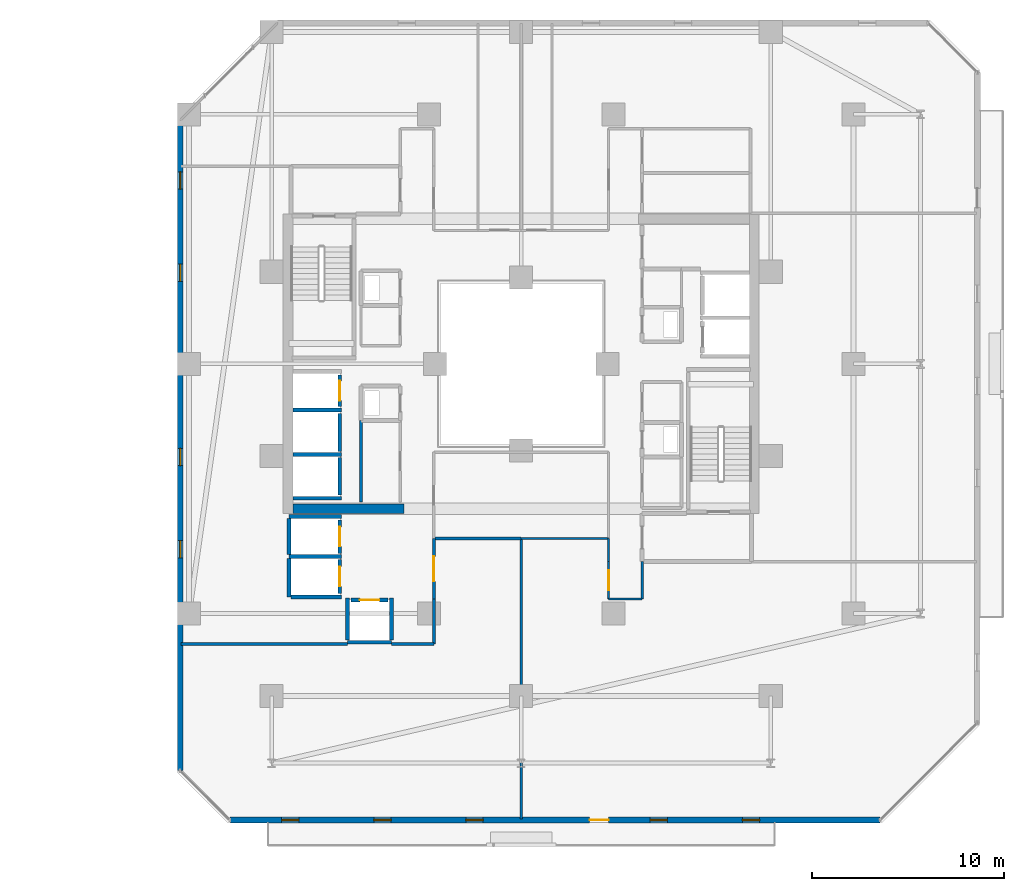
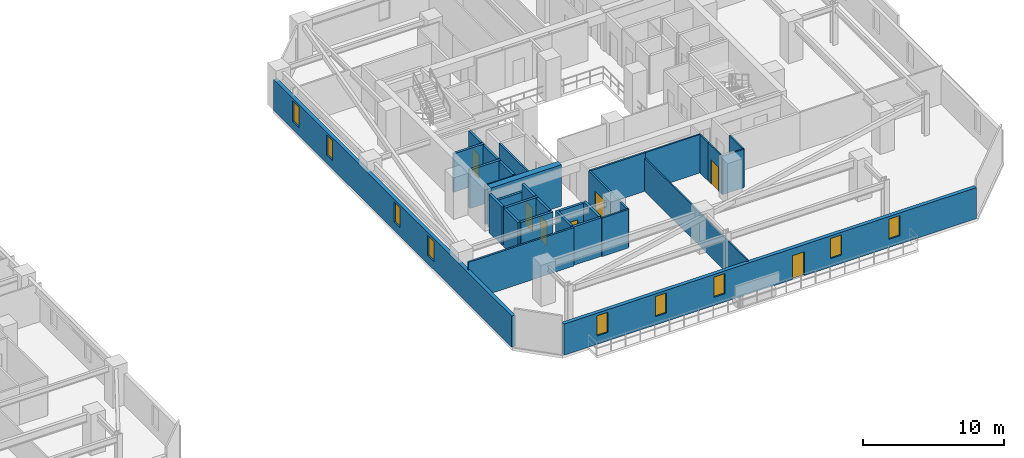
# One storey, part 22 of 33: 32 walls, 9 windows, 7 doors, 16 openings.
"""IFC4 building model written with IfcOpenShell, lengths in metres."""

import ifcopenshell
import ifcopenshell.guid

model = None  # the IFC model being written
_history = None  # IfcOwnerHistory: only IFC2X3 demands one
_inside = {}  # id of a spatial element -> (the spatial element, [elements in it])
_under = {}  # id of a project, library or spatial element -> (it, [spatial elements below it])
_declared = {}  # id of a project -> (the project, [libraries it declares])
_typed = {}  # id of a type object -> (the type object, [elements of that type])
_made_of = {}  # id of a material, layer set ... -> (it, [elements and type objects made of it])


def new_model(schema):
    """Start an empty IFC model of exactly this schema.

    Asked for "IFC4X3", IfcOpenShell would pick the latest addendum, in which some entities
    have other attributes; the version numbers below select the first issue.
    IFC2X3 requires an IfcOwnerHistory on every rooted entity: one is made here for all.
    """
    global model, _history
    if schema == "IFC4X3":
        model = ifcopenshell.file(schema_version=(4, 3, 0, 0))
    else:
        model = ifcopenshell.file(schema=schema)
    _inside.clear()
    _under.clear()
    _declared.clear()
    _typed.clear()
    _made_of.clear()
    _history = None
    if model.schema == "IFC2X3":
        org = make("IfcOrganization", Name="unknown")
        user = make(
            "IfcPersonAndOrganization",
            ThePerson=make("IfcPerson", FamilyName="unknown"),
            TheOrganization=org,
        )
        app = make(
            "IfcApplication",
            ApplicationDeveloper=org,
            Version="unknown",
            ApplicationFullName="unknown",
            ApplicationIdentifier="unknown",
        )
        _history = make(
            "IfcOwnerHistory",
            OwningUser=user,
            OwningApplication=app,
            ChangeAction="ADDED",
            CreationDate=0,
        )
    return model


def make(cls, **values):
    """One entity of the class cls with the attributes given. An attribute that is None is left unset."""
    return model.create_entity(
        cls, **{name: value for name, value in values.items() if value is not None}
    )


def rooted(cls, **values):
    """An entity with a GlobalId (a new one), such as an element, a storey or a relation."""
    return make(cls, GlobalId=ifcopenshell.guid.new(), OwnerHistory=_history, **values)


def si_unit(unit_type, name, prefix=None):
    """IfcSIUnit, for example si_unit("LENGTHUNIT", "METRE", prefix="MILLI")."""
    return make("IfcSIUnit", UnitType=unit_type, Prefix=prefix, Name=name)


def assignment(units):
    """IfcUnitAssignment: the units of a project."""
    return None if units is None else make("IfcUnitAssignment", Units=units)


def point(xyz):
    """IfcCartesianPoint."""
    return None if xyz is None else make("IfcCartesianPoint", Coordinates=xyz)


def direction(xyz):
    """IfcDirection."""
    return None if xyz is None else make("IfcDirection", DirectionRatios=xyz)


def frame(location, z_axis=None, x_axis=None):
    """IfcAxis2Placement3D, a coordinate frame: its origin and axes. An axis left out is left unset."""
    return make(
        "IfcAxis2Placement3D",
        Location=point(location),
        Axis=direction(z_axis),
        RefDirection=direction(x_axis),
    )


def frame_2d(location, x_axis=None):
    """IfcAxis2Placement2D, a coordinate frame in the plane: its origin and x axis."""
    return make(
        "IfcAxis2Placement2D", Location=point(location), RefDirection=direction(x_axis)
    )


def origin():
    """The frame at (0, 0, 0) with its axes left unset."""
    return frame((0.0, 0.0, 0.0))


def place(relative_to, where):
    """IfcLocalPlacement: puts the frame where relative to a parent placement (None: the world)."""
    return make(
        "IfcLocalPlacement", PlacementRelTo=relative_to, RelativePlacement=where
    )


def context(
    kind, dimensions, precision=None, world=None, true_north=None, identifier=None
):
    """IfcGeometricRepresentationContext, for example the 3D "Model" context."""
    return make(
        "IfcGeometricRepresentationContext",
        ContextIdentifier=identifier,
        ContextType=kind,
        CoordinateSpaceDimension=dimensions,
        Precision=precision,
        WorldCoordinateSystem=world,
        TrueNorth=true_north,
    )


def subcontext(parent, identifier, kind, view, scale=None):
    """IfcGeometricRepresentationSubContext, for example "Body" below "Model"."""
    return make(
        "IfcGeometricRepresentationSubContext",
        ContextIdentifier=identifier,
        ContextType=kind,
        ParentContext=parent,
        TargetScale=scale,
        TargetView=view,
    )


def project(units=None, contexts=None):
    """IfcProject with its units and contexts."""
    return rooted(
        "IfcProject",
        Name="project",
        RepresentationContexts=contexts,
        UnitsInContext=assignment(units),
    )


def spatial(cls, under=None, at=None, **own):
    """A site, building, storey or space (cls), placed at a placement, below another one or the project."""
    s = rooted(cls, ObjectPlacement=at, **own)
    if under is not None:
        _under.setdefault(under.id(), (under, []))[1].append(s)
    return s


def profile(cls, at=None, kind="AREA", **sizes):
    """A parametric profile (cls). Its sizes go by their IFC names, for example OverallWidth=200.0."""
    return make(cls, ProfileType=kind, Position=at, **sizes)


def rectangle(**sizes):
    """IfcRectangleProfileDef."""
    return profile("IfcRectangleProfileDef", **sizes)


def extrude(swept, where, along, depth):
    """IfcExtrudedAreaSolid: the profile swept, set in the frame where, extruded along a direction by depth."""
    return make(
        "IfcExtrudedAreaSolid",
        SweptArea=swept,
        Position=where,
        ExtrudedDirection=direction(along),
        Depth=depth,
    )


def shape(context_of_items, identifier, shape_type, items):
    """IfcShapeRepresentation: the items that make up one representation, for example the "Body"."""
    return make(
        "IfcShapeRepresentation",
        ContextOfItems=context_of_items,
        RepresentationIdentifier=identifier,
        RepresentationType=shape_type,
        Items=items,
    )


def material(Name=None, Category=None):
    """IfcMaterial."""
    return make("IfcMaterial", Name=Name, Category=Category)


def layer(
    of_material, thickness, ventilated=None, Name=None, Category=None, Priority=None
):
    """IfcMaterialLayer: one layer of a wall or slab, of a material (None: an air gap)."""
    return make(
        "IfcMaterialLayer",
        Material=of_material,
        LayerThickness=thickness,
        IsVentilated=ventilated,
        Name=Name,
        Category=Category,
        Priority=Priority,
    )


def layer_set(layers, Name=None):
    """IfcMaterialLayerSet."""
    return make("IfcMaterialLayerSet", MaterialLayers=layers, LayerSetName=Name)


def made_of(thing, what):
    """Note that an element or type object is made of a material, layer set ...; save() writes the relation."""
    if what is not None:
        _made_of.setdefault(what.id(), (what, []))[1].append(thing)
    return thing


def type_object(cls, material=None, **own):
    """A type object (cls), such as IfcWallType, which elements share."""
    return made_of(rooted(cls, **own), material)


def element(
    cls,
    number,
    at=None,
    inside=None,
    cuts=None,
    type_object=None,
    material=None,
    context=None,
    identifier="Body",
    shape_type=None,
    held_by="IfcProductDefinitionShape",
    body=None,
    shapes=None,
    **own,
):
    """One element of the class cls, such as IfcWall. Its Tag is "e" and its number.

    at: its placement. inside: the storey or other place that contains it. cuts: it is an
    opening in that element (IfcRelVoidsElement). A single representation is given by context,
    identifier, shape_type and body (its items); several are given by shapes. held_by: the class
    of the entity that holds the representations. save() writes the other relations.
    """
    e = rooted(cls, Tag="e%d" % number, ObjectPlacement=at, **own)
    if body is not None:
        shapes = [shape(context, identifier, shape_type, body)]
    if shapes is not None:
        e.Representation = make(held_by, Representations=shapes)
    if inside is not None:
        _inside.setdefault(inside.id(), (inside, []))[1].append(e)
    if cuts is not None:
        rooted(
            "IfcRelVoidsElement", RelatingBuildingElement=cuts, RelatedOpeningElement=e
        )
    if type_object is not None:
        _typed.setdefault(type_object.id(), (type_object, []))[1].append(e)
    return made_of(e, material)


def fill(opening, filler):
    """IfcRelFillsElement: the door or window that sits in an opening."""
    return rooted(
        "IfcRelFillsElement",
        RelatingOpeningElement=opening,
        RelatedBuildingElement=filler,
    )


def aggregate(whole, parts):
    """IfcRelAggregates: a whole, such as a stair, and the parts it consists of."""
    return rooted("IfcRelAggregates", RelatingObject=whole, RelatedObjects=parts)


def save(model, path):
    """Write the relations noted so far, then the file.

    IfcRelAggregates (storeys below a building ...), IfcRelContainedInSpatialStructure (elements
    in a storey), IfcRelDefinesByType, IfcRelAssociatesMaterial and IfcRelDeclares: one each for
    every whole, place, type object, material and project.
    """
    for whole, parts in _under.values():
        aggregate(whole, parts)
    for where, things in _inside.values():
        rooted(
            "IfcRelContainedInSpatialStructure",
            RelatedElements=things,
            RelatingStructure=where,
        )
    for kind, things in _typed.values():
        rooted("IfcRelDefinesByType", RelatedObjects=things, RelatingType=kind)
    for what, things in _made_of.values():
        rooted("IfcRelAssociatesMaterial", RelatedObjects=things, RelatingMaterial=what)
    for by, libraries in _declared.values():
        rooted("IfcRelDeclares", RelatingContext=by, RelatedDefinitions=libraries)
    model.write(path)


model = new_model("IFC4")

# Units and contexts
model_context = context("Model", 3, precision=1e-05, world=origin(), true_north=direction((0.0, 1.0)))
body_context = subcontext(model_context, "Body", "Model", "MODEL_VIEW")
ifc_project = project(units=[si_unit("LENGTHUNIT", "METRE"), si_unit("AREAUNIT", "SQUARE_METRE"), si_unit("VOLUMEUNIT", "CUBIC_METRE"), si_unit("PLANEANGLEUNIT", "RADIAN"), si_unit("MASSUNIT", "GRAM", prefix="KILO")], contexts=[model_context])

# Site, building, storey
site_placement = place(None, origin())
site = spatial("IfcSite", under=ifc_project, at=site_placement, CompositionType="ELEMENT")
building_placement = place(site_placement, origin())
building = spatial("IfcBuilding", under=site, at=building_placement, Name="Thornwick Lancets Civic Towers", CompositionType="ELEMENT")
storey_placement = place(building_placement, frame((0.0, 0.0, 134.10009765625)))
storey = spatial("IfcBuildingStorey", under=building, at=storey_placement, Name="L35", CompositionType="ELEMENT", Elevation=134.10009765625)

# Wall, opening, door
ifc_material_1 = material(Name="Concrete blockwork C40/50", Category="masonry")
ifc_layer_1 = layer(ifc_material_1, 0.199951171875, Name="Concrete blockwork C40/50")
ifc_layer_set_1 = layer_set([ifc_layer_1], Name="Concrete blockwork C40/50")
wall_type_1 = type_object("IfcWallType", Name="WALL_COMP_200", PredefinedType="STANDARD", material=ifc_layer_set_1)
wall_1_placement = place(storey_placement, frame((79.050048828125, 24.780029296875, 0.0), z_axis=(0.0, 0.0, 1.0), x_axis=(0.0, 1.0, 0.0)))
wall_1 = element("IfcWall", 1, at=wall_1_placement, inside=storey, type_object=wall_type_1, Name="L35 Hoistway Front Wall FL-B2", PredefinedType="STANDARD", context=body_context, shape_type="SweptSolid", body=[
    extrude(rectangle(XDim=1.639892578125, YDim=0.199951171875, at=frame_2d((0.81982421875, 0.0))), origin(), (0.0, 0.0, 1.0), 3.33984375),
])
opening_1_placement = place(wall_1_placement, frame((0.31005859375, 0.0, 0.0)))
opening_1 = element("IfcOpeningElement", 2, at=opening_1_placement, cuts=wall_1, Name="Opening LD-FL-B2", PredefinedType="OPENING", context=body_context, shape_type="SweptSolid", body=[
    extrude(rectangle(XDim=1.02001953125, YDim=2.06005859375, at=frame_2d((0.510009765625, 1.030029296875))), frame((0.0, 0.10986328125, 0.0), z_axis=(0.0, -1.0, 0.0), x_axis=(1.0, 0.0, 0.0)), (0.0, 0.0, 1.0), 0.219970703125),
])
ifc_material_2 = material(Name="Brushed bronze stainless steel", Category="steel")
door_type_1 = type_object("IfcDoorType", Name="DOOR_LIFT_SLIDE", OperationType="SLIDING_TO_LEFT", PredefinedType="DOOR", material=ifc_material_2)
door_1_placement = place(opening_1_placement, origin())
door_1 = element("IfcDoor", 3, at=door_1_placement, inside=storey, type_object=door_type_1, Name="L35 Sliding Lift Landing Door LD-FL-B2", OperationType="SLIDING_TO_LEFT", OverallHeight=2.06005859375, OverallWidth=1.02001953125, PredefinedType="DOOR", context=body_context, shape_type="SweptSolid", body=[
    extrude(rectangle(XDim=1.02001953125, YDim=2.06005859375, at=frame_2d((0.510009765625, 1.030029296875))), frame((0.0, 0.02490234375, 0.0), z_axis=(0.0, -1.0, 0.0), x_axis=(1.0, 0.0, 0.0)), (0.0, 0.0, 1.0), 0.050048828125),
])
fill(opening_1, door_1)

# Walls
wall_2_placement = place(storey_placement, frame((79.050048828125, 22.429931640625, 0.0), z_axis=(0.0, 0.0, 1.0), x_axis=(0.0, 1.0, 0.0)))
element("IfcWall", 4, at=wall_2_placement, inside=storey, type_object=wall_type_1, Name="L35 Hoistway Front Wall PL-BH2", PredefinedType="STANDARD", context=body_context, shape_type="SweptSolid", body=[
    extrude(rectangle(XDim=1.989990234375, YDim=0.199951171875, at=frame_2d((0.9951171875, 0.0))), origin(), (0.0, 0.0, 1.0), 3.33984375),
])
wall_3_placement = place(storey_placement, frame((79.050048828125, 20.179931640625, 0.0), z_axis=(0.0, 0.0, 1.0), x_axis=(0.0, 1.0, 0.0)))
element("IfcWall", 5, at=wall_3_placement, inside=storey, type_object=wall_type_1, Name="L35 Hoistway Front Wall PL-BH3", PredefinedType="STANDARD", context=body_context, shape_type="SweptSolid", body=[
    extrude(rectangle(XDim=1.940185546875, YDim=0.199951171875, at=frame_2d((0.97021484375, 0.0))), origin(), (0.0, 0.0, 1.0), 3.33984375),
])

# Wall, opening, door
wall_4_placement = place(storey_placement, frame((79.050048828125, 17.1298828125, 0.0), z_axis=(0.0, 0.0, 1.0), x_axis=(0.0, 1.0, 0.0)))
wall_4 = element("IfcWall", 6, at=wall_4_placement, inside=storey, type_object=wall_type_1, Name="L35 Hoistway Front Wall PL-BM1", PredefinedType="STANDARD", context=body_context, shape_type="SweptSolid", body=[
    extrude(rectangle(XDim=1.740234375, YDim=0.199951171875, at=frame_2d((0.8701171875, 0.0))), origin(), (0.0, 0.0, 1.0), 3.33984375),
])
opening_2_placement = place(wall_4_placement, frame((0.360107421875, 0.0, 0.0)))
opening_2 = element("IfcOpeningElement", 7, at=opening_2_placement, cuts=wall_4, Name="Opening LD-PL-BM1", PredefinedType="OPENING", context=body_context, shape_type="SweptSolid", body=[
    extrude(rectangle(XDim=1.02001953125, YDim=2.06005859375, at=frame_2d((0.510009765625, 1.030029296875))), frame((0.0, 0.10986328125, 0.0), z_axis=(0.0, -1.0, 0.0), x_axis=(1.0, 0.0, 0.0)), (0.0, 0.0, 1.0), 0.219970703125),
])
door_2_placement = place(opening_2_placement, origin())
door_2 = element("IfcDoor", 8, at=door_2_placement, inside=storey, type_object=door_type_1, Name="L35 Sliding Lift Landing Door LD-PL-BM1", OperationType="SLIDING_TO_LEFT", OverallHeight=2.06005859375, OverallWidth=1.02001953125, PredefinedType="DOOR", context=body_context, shape_type="SweptSolid", body=[
    extrude(rectangle(XDim=1.02001953125, YDim=2.06005859375, at=frame_2d((0.510009765625, 1.030029296875))), frame((0.0, 0.02490234375, 0.0), z_axis=(0.0, -1.0, 0.0), x_axis=(1.0, 0.0, 0.0)), (0.0, 0.0, 1.0), 0.050048828125),
])
fill(opening_2, door_2)

wall_5_placement = place(storey_placement, frame((79.050048828125, 15.030029296875, 0.0), z_axis=(0.0, 0.0, 1.0), x_axis=(0.0, 1.0, 0.0)))
wall_5 = element("IfcWall", 9, at=wall_5_placement, inside=storey, type_object=wall_type_1, Name="L35 Hoistway Front Wall PL-BM2", PredefinedType="STANDARD", context=body_context, shape_type="SweptSolid", body=[
    extrude(rectangle(XDim=1.7900390625, YDim=0.199951171875, at=frame_2d((0.89501953125, 0.0))), origin(), (0.0, 0.0, 1.0), 3.33984375),
])
opening_3_placement = place(wall_5_placement, frame((0.385009765625, 0.0, 0.0)))
opening_3 = element("IfcOpeningElement", 10, at=opening_3_placement, cuts=wall_5, Name="Opening LD-PL-BM2", PredefinedType="OPENING", context=body_context, shape_type="SweptSolid", body=[
    extrude(rectangle(XDim=1.02001953125, YDim=2.06005859375, at=frame_2d((0.510009765625, 1.030029296875))), frame((0.0, 0.10986328125, 0.0), z_axis=(0.0, -1.0, 0.0), x_axis=(1.0, 0.0, 0.0)), (0.0, 0.0, 1.0), 0.219970703125),
])
door_3_placement = place(opening_3_placement, origin())
door_3 = element("IfcDoor", 11, at=door_3_placement, inside=storey, type_object=door_type_1, Name="L35 Sliding Lift Landing Door LD-PL-BM2", OperationType="SLIDING_TO_LEFT", OverallHeight=2.06005859375, OverallWidth=1.02001953125, PredefinedType="DOOR", context=body_context, shape_type="SweptSolid", body=[
    extrude(rectangle(XDim=1.02001953125, YDim=2.06005859375, at=frame_2d((0.510009765625, 1.030029296875))), frame((0.0, 0.02490234375, 0.0), z_axis=(0.0, -1.0, 0.0), x_axis=(1.0, 0.0, 0.0)), (0.0, 0.0, 1.0), 0.050048828125),
])
fill(opening_3, door_3)

wall_6_placement = place(storey_placement, frame((79.6298828125, 14.699951171875, 0.0), z_axis=(0.0, 0.0, 1.0), x_axis=(1.0, 0.0, 0.0)))
wall_6 = element("IfcWall", 12, at=wall_6_placement, inside=storey, type_object=wall_type_1, Name="L35 Hoistway Front Wall PL-BM3", PredefinedType="STANDARD", context=body_context, shape_type="SweptSolid", body=[
    extrude(rectangle(XDim=1.940185546875, YDim=0.199951171875, at=frame_2d((0.97021484375, 0.0))), origin(), (0.0, 0.0, 1.0), 3.33984375),
])
opening_4_placement = place(wall_6_placement, frame((0.4599609375, 0.0, 0.0)))
opening_4 = element("IfcOpeningElement", 13, at=opening_4_placement, cuts=wall_6, Name="Opening LD-PL-BM3", PredefinedType="OPENING", context=body_context, shape_type="SweptSolid", body=[
    extrude(rectangle(XDim=1.02001953125, YDim=2.06005859375, at=frame_2d((0.510009765625, 1.030029296875))), frame((0.0, 0.10986328125, 0.0), z_axis=(0.0, -1.0, 0.0), x_axis=(1.0, 0.0, 0.0)), (0.0, 0.0, 1.0), 0.219970703125),
])
door_4_placement = place(opening_4_placement, origin())
door_4 = element("IfcDoor", 14, at=door_4_placement, inside=storey, type_object=door_type_1, Name="L35 Sliding Lift Landing Door LD-PL-BM3", OperationType="SLIDING_TO_LEFT", OverallHeight=2.06005859375, OverallWidth=1.02001953125, PredefinedType="DOOR", context=body_context, shape_type="SweptSolid", body=[
    extrude(rectangle(XDim=1.02001953125, YDim=2.06005859375, at=frame_2d((0.510009765625, 1.030029296875))), frame((0.0, 0.02490234375, 0.0), z_axis=(0.0, -1.0, 0.0), x_axis=(1.0, 0.0, 0.0)), (0.0, 0.0, 1.0), 0.050048828125),
])
fill(opening_4, door_4)

# Walls
for number, where, z_axis, x_axis, name in (
    (15, (76.612060546875, 24.60009765625, 0.0), (0.0, 0.0, 1.0), (1.0, 0.0, 0.0), "L35 Hoistway Shaft Wall FL-B2 S"),
    (16, (76.612060546875, 22.27490234375, 0.0), (0.0, 0.0, 1.0), (1.0, 0.0, 0.0), "L35 Hoistway Shaft Wall PL-BH2 S"),
    (17, (76.612060546875, 20.0, 0.0), (0.0, 0.0, 1.0), (1.0, 0.0, 0.0), "L35 Hoistway Shaft Wall PL-BH3 S"),
):
    element("IfcWall", number, at=place(storey_placement, frame(where, z_axis=z_axis, x_axis=x_axis)), inside=storey, type_object=wall_type_1, Name=name, PredefinedType="STANDARD", context=body_context, shape_type="SweptSolid", body=[
        extrude(rectangle(XDim=2.535888671875, YDim=0.199951171875, at=frame_2d((1.26806640625, 0.0))), origin(), (0.0, 0.0, 1.0), 3.33984375),
    ])
wall_7_placement = place(storey_placement, frame((76.402099609375, 19.050048828125, 0.0), z_axis=(0.0, 0.0, 1.0), x_axis=(1.0, 0.0, 0.0)))
element("IfcWall", 18, at=wall_7_placement, inside=storey, type_object=wall_type_1, Name="L35 Hoistway Shaft Wall PL-BM1 N", PredefinedType="STANDARD", context=body_context, shape_type="SweptSolid", body=[
    extrude(rectangle(XDim=2.745849609375, YDim=0.199951171875, at=frame_2d((1.373046875, 0.0))), origin(), (0.0, 0.0, 1.0), 2.544921875),
])
wall_8_placement = place(storey_placement, frame((76.402099609375, 16.97509765625, 0.0), z_axis=(0.0, 0.0, 1.0), x_axis=(1.0, 0.0, 0.0)))
element("IfcWall", 19, at=wall_8_placement, inside=storey, type_object=wall_type_1, Name="L35 Hoistway Shaft Wall PL-BM1 S", PredefinedType="STANDARD", context=body_context, shape_type="SweptSolid", body=[
    extrude(rectangle(XDim=2.745849609375, YDim=0.199951171875, at=frame_2d((1.373046875, 0.0))), origin(), (0.0, 0.0, 1.0), 3.33984375),
])
wall_9_placement = place(storey_placement, frame((76.39990234375, 14.85205078125, 0.0), z_axis=(0.0, 0.0, 1.0), x_axis=(0.0, 1.0, 0.0)))
element("IfcWall", 20, at=wall_9_placement, inside=storey, type_object=wall_type_1, Name="L35 Hoistway Shaft Wall PL-BM1 W", PredefinedType="STANDARD", context=body_context, shape_type="SweptSolid", body=[
    extrude(rectangle(XDim=2.015869140625, YDim=0.199951171875, at=frame_2d((1.0078125, 0.0))), origin(), (0.0, 0.0, 1.0), 3.33984375),
])
wall_10_placement = place(storey_placement, frame((76.39990234375, 17.08203125, 0.0), z_axis=(0.0, 0.0, 1.0), x_axis=(0.0, 1.0, 0.0)))
element("IfcWall", 21, at=wall_10_placement, inside=storey, type_object=wall_type_1, Name="L35 Hoistway Shaft Wall PL-BM1 W", PredefinedType="STANDARD", context=body_context, shape_type="SweptSolid", body=[
    extrude(rectangle(XDim=1.85595703125, YDim=0.199951171875, at=frame_2d((0.927978515625, 0.0))), origin(), (0.0, 0.0, 1.0), 3.33984375),
])
wall_11_placement = place(storey_placement, frame((76.511962890625, 14.85009765625, 0.0), z_axis=(0.0, 0.0, 1.0), x_axis=(1.0, 0.0, 0.0)))
element("IfcWall", 22, at=wall_11_placement, inside=storey, type_object=wall_type_1, Name="L35 Hoistway Shaft Wall PL-BM2 S", PredefinedType="STANDARD", context=body_context, shape_type="SweptSolid", body=[
    extrude(rectangle(XDim=2.635986328125, YDim=0.199951171875, at=frame_2d((1.31787109375, 0.0))), origin(), (0.0, 0.0, 1.0), 3.33984375),
])
wall_12_placement = place(storey_placement, frame((79.451904296875, 12.5, 0.0), z_axis=(0.0, 0.0, 1.0), x_axis=(1.0, 0.0, 0.0)))
element("IfcWall", 23, at=wall_12_placement, inside=storey, type_object=wall_type_1, Name="L35 Hoistway Shaft Wall PL-BM3 S", PredefinedType="STANDARD", context=body_context, shape_type="SweptSolid", body=[
    extrude(rectangle(XDim=2.296142578125, YDim=0.199951171875, at=frame_2d((1.14794921875, 0.0))), origin(), (0.0, 0.0, 1.0), 3.33984375),
])
for number, where, z_axis, x_axis, name in (
    (24, (81.75, 12.612060546875, 0.0), (0.0, 0.0, 1.0), (0.0, 1.0, 0.0), "L35 Hoistway Shaft Wall PL-BM3 E"),
    (25, (79.449951171875, 12.612060546875, 0.0), (0.0, 0.0, 1.0), (0.0, 1.0, 0.0), "L35 Hoistway Shaft Wall PL-BM3 W"),
):
    element("IfcWall", number, at=place(storey_placement, frame(where, z_axis=z_axis, x_axis=x_axis)), inside=storey, type_object=wall_type_1, Name=name, PredefinedType="STANDARD", context=body_context, shape_type="SweptSolid", body=[
        extrude(rectangle(XDim=2.18603515625, YDim=0.199951171875, at=frame_2d((1.093017578125, 0.0))), origin(), (0.0, 0.0, 1.0), 3.33984375),
    ])
ifc_material_3 = material(Name="Concrete C50/60", Category="concrete")
ifc_layer_2 = layer(ifc_material_3, 0.5, Name="Concrete C50/60")
ifc_layer_set_2 = layer_set([ifc_layer_2], Name="Concrete C50/60")
wall_type_2 = type_object("IfcWallType", Name="WALL_CORE_500", PredefinedType="SHEAR", material=ifc_layer_set_2)
wall_13_placement = place(storey_placement, frame((76.60009765625, 19.449951171875, 0.0), z_axis=(0.0, 0.0, 1.0), x_axis=(1.0, 0.0, 0.0)))
element("IfcWall", 26, at=wall_13_placement, inside=storey, type_object=wall_type_2, Name="L35 Split Core B2 Shear Wall S", PredefinedType="SHEAR", context=body_context, shape_type="SweptSolid", body=[
    extrude(rectangle(XDim=5.7998046875, YDim=0.5, at=frame_2d((2.89990234375, 0.0))), origin(), (0.0, 0.0, 1.0), 3.599853515625),
])

# Wall, openings, door, windows
ifc_material_4 = material(Name="Insulated russet terracotta rainscreen on concrete C40/50", Category="masonry")
ifc_layer_3 = layer(ifc_material_4, 0.300048828125, Name="Insulated russet terracotta rainscreen on concrete C40/50")
ifc_layer_set_3 = layer_set([ifc_layer_3], Name="Insulated russet terracotta rainscreen on concrete C40/50")
wall_type_3 = type_object("IfcWallType", Name="WALL_EXT_RUSSET_300", PredefinedType="STANDARD", material=ifc_layer_set_3)
wall_14_placement = place(storey_placement, frame((73.318603515625, 3.2353515625, 0.0), z_axis=(0.0, 0.0, 1.0), x_axis=(0.999999969988, 0.000244999128, 0.0)))
wall_14 = element("IfcWall", 27, at=wall_14_placement, inside=storey, type_object=wall_type_3, Name="L35 Tower B Terracotta Facade Wall E0", PredefinedType="STANDARD", context=body_context, shape_type="SweptSolid", body=[
    extrude(rectangle(XDim=33.880859375, YDim=0.300048828125, at=frame_2d((16.9404296875, 0.0))), origin(), (0.0, 0.0, 1.0), 2.699951171875),
])
opening_5_placement = place(wall_14_placement, frame((18.740478515625, 0.0, 0.0)))
opening_5 = element("IfcOpeningElement", 28, at=opening_5_placement, cuts=wall_14, Name="Opening D-BL-L35-BS", PredefinedType="OPENING", context=body_context, shape_type="SweptSolid", body=[
    extrude(rectangle(XDim=1.0, YDim=2.080078125, at=frame_2d((0.5, 1.0400390625))), frame((0.0, 0.16015625, 0.0), z_axis=(0.0, -1.0, 0.0), x_axis=(1.0, 0.0, 0.0)), (0.0, 0.0, 1.0), 0.320068359375),
])
opening_6_placement = place(wall_14_placement, frame((2.699951171875, 0.0, 0.719970703125)))
opening_6 = element("IfcOpeningElement", 29, at=opening_6_placement, cuts=wall_14, Name="Opening WL-01", PredefinedType="OPENING", context=body_context, shape_type="SweptSolid", body=[
    extrude(rectangle(XDim=0.89990234375, YDim=1.75, at=frame_2d((0.449951171875, 0.875))), frame((0.0, 0.16015625, 0.0), z_axis=(0.0, -1.0, 0.0), x_axis=(1.0, 0.0, 0.0)), (0.0, 0.0, 1.0), 0.320068359375),
])
opening_7_placement = place(wall_14_placement, frame((7.5, 0.0, 0.719970703125)))
opening_7 = element("IfcOpeningElement", 30, at=opening_7_placement, cuts=wall_14, Name="Opening WL-01", PredefinedType="OPENING", context=body_context, shape_type="SweptSolid", body=[
    extrude(rectangle(XDim=0.89990234375, YDim=1.75, at=frame_2d((0.449951171875, 0.875))), frame((0.0, 0.16015625, 0.0), z_axis=(0.0, -1.0, 0.0), x_axis=(1.0, 0.0, 0.0)), (0.0, 0.0, 1.0), 0.320068359375),
])
opening_8_placement = place(wall_14_placement, frame((12.300048828125, 0.0, 0.719970703125)))
opening_8 = element("IfcOpeningElement", 31, at=opening_8_placement, cuts=wall_14, Name="Opening WL-01", PredefinedType="OPENING", context=body_context, shape_type="SweptSolid", body=[
    extrude(rectangle(XDim=0.89990234375, YDim=1.75, at=frame_2d((0.449951171875, 0.875))), frame((0.0, 0.16015625, 0.0), z_axis=(0.0, -1.0, 0.0), x_axis=(1.0, 0.0, 0.0)), (0.0, 0.0, 1.0), 0.320068359375),
])
opening_9_placement = place(wall_14_placement, frame((21.89990234375, 0.0, 0.719970703125)))
opening_9 = element("IfcOpeningElement", 32, at=opening_9_placement, cuts=wall_14, Name="Opening WL-01", PredefinedType="OPENING", context=body_context, shape_type="SweptSolid", body=[
    extrude(rectangle(XDim=0.89990234375, YDim=1.75, at=frame_2d((0.449951171875, 0.875))), frame((0.0, 0.16015625, 0.0), z_axis=(0.0, -1.0, 0.0), x_axis=(1.0, 0.0, 0.0)), (0.0, 0.0, 1.0), 0.320068359375),
])
opening_10_placement = place(wall_14_placement, frame((26.699951171875, 0.0, 0.719970703125)))
opening_10 = element("IfcOpeningElement", 33, at=opening_10_placement, cuts=wall_14, Name="Opening WL-01", PredefinedType="OPENING", context=body_context, shape_type="SweptSolid", body=[
    extrude(rectangle(XDim=0.89990234375, YDim=1.75, at=frame_2d((0.449951171875, 0.875))), frame((0.0, 0.16015625, 0.0), z_axis=(0.0, -1.0, 0.0), x_axis=(1.0, 0.0, 0.0)), (0.0, 0.0, 1.0), 0.320068359375),
])
ifc_material_5 = material(Name="Thermally broken glazed loggia doorset")
door_type_2 = type_object("IfcDoorType", Name="DOOR_BALC_1000", OperationType="NOTDEFINED", PredefinedType="DOOR", material=ifc_material_5)
door_5_placement = place(opening_5_placement, origin())
door_5 = element("IfcDoor", 34, at=door_5_placement, inside=storey, type_object=door_type_2, Name="L35 Tower B Loggia Balcony Door S", OperationType="SINGLE_SWING_RIGHT", OverallHeight=2.080078125, OverallWidth=1.0, PredefinedType="DOOR", context=body_context, shape_type="SweptSolid", body=[
    extrude(rectangle(XDim=1.0, YDim=2.080078125, at=frame_2d((0.5, 1.0400390625))), frame((0.0, 0.02490234375, 0.0), z_axis=(0.0, -1.0, 0.0), x_axis=(1.0, 0.0, 0.0)), (0.0, 0.0, 1.0), 0.050048828125),
])
fill(opening_5, door_5)
ifc_material_6 = material(Name="Clear low-e double glazing in bronze frame", Category="glass")
window_type = type_object("IfcWindowType", Name="WIN_LANCET_900", PartitioningType="SINGLE_PANEL", PredefinedType="WINDOW", material=ifc_material_6)
window_1_placement = place(opening_6_placement, origin())
window_1 = element("IfcWindow", 35, at=window_1_placement, inside=storey, type_object=window_type, Name="L35 Tower B Staggered Lancet Window E0-1", OverallHeight=1.75, OverallWidth=0.89990234375, PartitioningType="SINGLE_PANEL", PredefinedType="WINDOW", context=body_context, shape_type="SweptSolid", body=[
    extrude(rectangle(XDim=0.89990234375, YDim=1.75, at=frame_2d((0.449951171875, 0.875))), frame((0.0, 0.030029296875, 0.0), z_axis=(0.0, -1.0, 0.0), x_axis=(1.0, 0.0, 0.0)), (0.0, 0.0, 1.0), 0.06005859375),
])
fill(opening_6, window_1)
window_2_placement = place(opening_7_placement, origin())
window_2 = element("IfcWindow", 36, at=window_2_placement, inside=storey, type_object=window_type, Name="L35 Tower B Staggered Lancet Window E0-2", OverallHeight=1.75, OverallWidth=0.89990234375, PartitioningType="SINGLE_PANEL", PredefinedType="WINDOW", context=body_context, shape_type="SweptSolid", body=[
    extrude(rectangle(XDim=0.89990234375, YDim=1.75, at=frame_2d((0.449951171875, 0.875))), frame((0.0, 0.030029296875, 0.0), z_axis=(0.0, -1.0, 0.0), x_axis=(1.0, 0.0, 0.0)), (0.0, 0.0, 1.0), 0.06005859375),
])
fill(opening_7, window_2)
window_3_placement = place(opening_8_placement, origin())
window_3 = element("IfcWindow", 37, at=window_3_placement, inside=storey, type_object=window_type, Name="L35 Tower B Staggered Lancet Window E0-3", OverallHeight=1.75, OverallWidth=0.89990234375, PartitioningType="SINGLE_PANEL", PredefinedType="WINDOW", context=body_context, shape_type="SweptSolid", body=[
    extrude(rectangle(XDim=0.89990234375, YDim=1.75, at=frame_2d((0.449951171875, 0.875))), frame((0.0, 0.030029296875, 0.0), z_axis=(0.0, -1.0, 0.0), x_axis=(1.0, 0.0, 0.0)), (0.0, 0.0, 1.0), 0.06005859375),
])
fill(opening_8, window_3)
window_4_placement = place(opening_9_placement, origin())
window_4 = element("IfcWindow", 38, at=window_4_placement, inside=storey, type_object=window_type, Name="L35 Tower B Staggered Lancet Window E0-4", OverallHeight=1.75, OverallWidth=0.89990234375, PartitioningType="SINGLE_PANEL", PredefinedType="WINDOW", context=body_context, shape_type="SweptSolid", body=[
    extrude(rectangle(XDim=0.89990234375, YDim=1.75, at=frame_2d((0.449951171875, 0.875))), frame((0.0, 0.030029296875, 0.0), z_axis=(0.0, -1.0, 0.0), x_axis=(1.0, 0.0, 0.0)), (0.0, 0.0, 1.0), 0.06005859375),
])
fill(opening_9, window_4)
window_5_placement = place(opening_10_placement, origin())
window_5 = element("IfcWindow", 39, at=window_5_placement, inside=storey, type_object=window_type, Name="L35 Tower B Staggered Lancet Window E0-5", OverallHeight=1.75, OverallWidth=0.89990234375, PartitioningType="SINGLE_PANEL", PredefinedType="WINDOW", context=body_context, shape_type="SweptSolid", body=[
    extrude(rectangle(XDim=0.89990234375, YDim=1.75, at=frame_2d((0.449951171875, 0.875))), frame((0.0, 0.030029296875, 0.0), z_axis=(0.0, -1.0, 0.0), x_axis=(1.0, 0.0, 0.0)), (0.0, 0.0, 1.0), 0.06005859375),
])
fill(opening_10, window_5)

# Wall, openings, windows
wall_15_placement = place(storey_placement, frame((70.74365234375, 39.699462890625, 0.0), z_axis=(0.0, 0.0, 1.0), x_axis=(-0.000244999128, -0.999999969988, 0.0)))
wall_15 = element("IfcWall", 40, at=wall_15_placement, inside=storey, type_object=wall_type_3, Name="L35 Tower B Terracotta Facade Wall E6", PredefinedType="STANDARD", context=body_context, shape_type="SweptSolid", body=[
    extrude(rectangle(XDim=33.880859375, YDim=0.300048828125, at=frame_2d((16.9404296875, 0.0))), origin(), (0.0, 0.0, 1.0), 2.699951171875),
])
opening_11_placement = place(wall_15_placement, frame((2.699951171875, 0.0, 0.719970703125)))
opening_11 = element("IfcOpeningElement", 41, at=opening_11_placement, cuts=wall_15, Name="Opening WL-01", PredefinedType="OPENING", context=body_context, shape_type="SweptSolid", body=[
    extrude(rectangle(XDim=0.89990234375, YDim=1.75, at=frame_2d((0.449951171875, 0.875))), frame((0.0, 0.16015625, 0.0), z_axis=(0.0, -1.0, 0.0), x_axis=(1.0, 0.0, 0.0)), (0.0, 0.0, 1.0), 0.320068359375),
])
opening_12_placement = place(wall_15_placement, frame((7.5, 0.0, 0.719970703125)))
opening_12 = element("IfcOpeningElement", 42, at=opening_12_placement, cuts=wall_15, Name="Opening WL-01", PredefinedType="OPENING", context=body_context, shape_type="SweptSolid", body=[
    extrude(rectangle(XDim=0.89990234375, YDim=1.75, at=frame_2d((0.449951171875, 0.875))), frame((0.0, 0.16015625, 0.0), z_axis=(0.0, -1.0, 0.0), x_axis=(1.0, 0.0, 0.0)), (0.0, 0.0, 1.0), 0.320068359375),
])
opening_13_placement = place(wall_15_placement, frame((17.10009765625, 0.0, 0.719970703125)))
opening_13 = element("IfcOpeningElement", 43, at=opening_13_placement, cuts=wall_15, Name="Opening WL-01", PredefinedType="OPENING", context=body_context, shape_type="SweptSolid", body=[
    extrude(rectangle(XDim=0.89990234375, YDim=1.75, at=frame_2d((0.449951171875, 0.875))), frame((0.0, 0.16015625, 0.0), z_axis=(0.0, -1.0, 0.0), x_axis=(1.0, 0.0, 0.0)), (0.0, 0.0, 1.0), 0.320068359375),
])
opening_14_placement = place(wall_15_placement, frame((21.89990234375, 0.0, 0.719970703125)))
opening_14 = element("IfcOpeningElement", 44, at=opening_14_placement, cuts=wall_15, Name="Opening WL-01", PredefinedType="OPENING", context=body_context, shape_type="SweptSolid", body=[
    extrude(rectangle(XDim=0.89990234375, YDim=1.75, at=frame_2d((0.449951171875, 0.875))), frame((0.0, 0.16015625, 0.0), z_axis=(0.0, -1.0, 0.0), x_axis=(1.0, 0.0, 0.0)), (0.0, 0.0, 1.0), 0.320068359375),
])
window_6_placement = place(opening_11_placement, origin())
window_6 = element("IfcWindow", 45, at=window_6_placement, inside=storey, type_object=window_type, Name="L35 Tower B Staggered Lancet Window E6-1", OverallHeight=1.75, OverallWidth=0.89990234375, PartitioningType="SINGLE_PANEL", PredefinedType="WINDOW", context=body_context, shape_type="SweptSolid", body=[
    extrude(rectangle(XDim=0.89990234375, YDim=1.75, at=frame_2d((0.449951171875, 0.875))), frame((0.0, 0.030029296875, 0.0), z_axis=(0.0, -1.0, 0.0), x_axis=(1.0, 0.0, 0.0)), (0.0, 0.0, 1.0), 0.06005859375),
])
fill(opening_11, window_6)
window_7_placement = place(opening_12_placement, origin())
window_7 = element("IfcWindow", 46, at=window_7_placement, inside=storey, type_object=window_type, Name="L35 Tower B Staggered Lancet Window E6-2", OverallHeight=1.75, OverallWidth=0.89990234375, PartitioningType="SINGLE_PANEL", PredefinedType="WINDOW", context=body_context, shape_type="SweptSolid", body=[
    extrude(rectangle(XDim=0.89990234375, YDim=1.75, at=frame_2d((0.449951171875, 0.875))), frame((0.0, 0.030029296875, 0.0), z_axis=(0.0, -1.0, 0.0), x_axis=(1.0, 0.0, 0.0)), (0.0, 0.0, 1.0), 0.06005859375),
])
fill(opening_12, window_7)
window_8_placement = place(opening_13_placement, origin())
window_8 = element("IfcWindow", 47, at=window_8_placement, inside=storey, type_object=window_type, Name="L35 Tower B Staggered Lancet Window E6-3", OverallHeight=1.75, OverallWidth=0.89990234375, PartitioningType="SINGLE_PANEL", PredefinedType="WINDOW", context=body_context, shape_type="SweptSolid", body=[
    extrude(rectangle(XDim=0.89990234375, YDim=1.75, at=frame_2d((0.449951171875, 0.875))), frame((0.0, 0.030029296875, 0.0), z_axis=(0.0, -1.0, 0.0), x_axis=(1.0, 0.0, 0.0)), (0.0, 0.0, 1.0), 0.06005859375),
])
fill(opening_13, window_8)
window_9_placement = place(opening_14_placement, origin())
window_9 = element("IfcWindow", 48, at=window_9_placement, inside=storey, type_object=window_type, Name="L35 Tower B Staggered Lancet Window E6-4", OverallHeight=1.75, OverallWidth=0.89990234375, PartitioningType="SINGLE_PANEL", PredefinedType="WINDOW", context=body_context, shape_type="SweptSolid", body=[
    extrude(rectangle(XDim=0.89990234375, YDim=1.75, at=frame_2d((0.449951171875, 0.875))), frame((0.0, 0.030029296875, 0.0), z_axis=(0.0, -1.0, 0.0), x_axis=(1.0, 0.0, 0.0)), (0.0, 0.0, 1.0), 0.06005859375),
])
fill(opening_14, window_9)

# Walls
ifc_material_7 = material(Name="Acoustic gypsum board partition")
ifc_layer_4 = layer(ifc_material_7, 0.1201171875, Name="Acoustic gypsum board partition")
ifc_layer_set_4 = layer_set([ifc_layer_4], Name="Acoustic gypsum board partition")
wall_type_4 = type_object("IfcWallType", Name="WALL_PART_120", PredefinedType="PARTITIONING", material=ifc_layer_set_4)
wall_16_placement = place(storey_placement, frame((88.5, 3.280029296875, 0.0), z_axis=(0.0, 0.0, 1.0), x_axis=(0.0, 1.0, 0.0)))
element("IfcWall", 49, at=wall_16_placement, inside=storey, type_object=wall_type_4, Name="L35 Partition L35-B-W1 E2", PredefinedType="PARTITIONING", context=body_context, shape_type="SweptSolid", body=[
    extrude(rectangle(XDim=14.619873046875, YDim=0.1201171875, at=frame_2d((7.31005859375, 0.0))), origin(), (0.0, 0.0, 1.0), 2.877685546875),
])
wall_17_placement = place(storey_placement, frame((88.5, 17.89990234375, 0.0), z_axis=(0.0, 0.0, 1.0), x_axis=(1.0, 0.0, 0.0)))
element("IfcWall", 50, at=wall_17_placement, inside=storey, type_object=wall_type_4, Name="L35 Partition L35-B-W1 E3", PredefinedType="PARTITIONING", context=body_context, shape_type="SweptSolid", body=[
    extrude(rectangle(XDim=4.550048828125, YDim=0.1201171875, at=frame_2d((2.27490234375, 0.0))), origin(), (0.0, 0.0, 1.0), 3.33984375),
])
wall_18_placement = place(storey_placement, frame((93.050048828125, 17.89990234375, 0.0), z_axis=(0.0, 0.0, 1.0), x_axis=(0.0, -1.0, 0.0)))
element("IfcWall", 51, at=wall_18_placement, inside=storey, type_object=wall_type_4, Name="L35 Partition L35-B-W1 E4", PredefinedType="PARTITIONING", context=body_context, shape_type="SweptSolid", body=[
    extrude(rectangle(XDim=1.199951171875, YDim=0.1201171875, at=frame_2d((0.60009765625, 0.0))), origin(), (0.0, 0.0, 1.0), 3.33984375),
])

# Wall, opening, door
wall_19_placement = place(storey_placement, frame((93.050048828125, 16.699951171875, 0.0), z_axis=(0.0, 0.0, 1.0), x_axis=(0.0, -1.0, 0.0)))
wall_19 = element("IfcWall", 52, at=wall_19_placement, inside=storey, type_object=wall_type_4, Name="L35 Partition L35-B-W1 E5", PredefinedType="PARTITIONING", context=body_context, shape_type="SweptSolid", body=[
    extrude(rectangle(XDim=1.949951171875, YDim=0.1201171875, at=frame_2d((0.97509765625, 0.0))), origin(), (0.0, 0.0, 1.0), 3.33984375),
])
opening_15_placement = place(wall_19_placement, frame((0.449951171875, 0.0, 0.0)))
opening_15 = element("IfcOpeningElement", 53, at=opening_15_placement, cuts=wall_19, Name="Opening D-L35-1610", PredefinedType="OPENING", context=body_context, shape_type="SweptSolid", body=[
    extrude(rectangle(XDim=1.050048828125, YDim=2.10009765625, at=frame_2d((0.52490234375, 1.050048828125))), frame((0.0, 0.070068359375, 0.0), z_axis=(0.0, -1.0, 0.0), x_axis=(1.0, 0.0, 0.0)), (0.0, 0.0, 1.0), 0.14013671875),
])
ifc_material_8 = material(Name="Glazed European oak executive doorset")
door_type_3 = type_object("IfcDoorType", Name="DOOR_OFFICE_1050", OperationType="NOTDEFINED", PredefinedType="DOOR", material=ifc_material_8)
door_6_placement = place(opening_15_placement, origin())
door_6 = element("IfcDoor", 54, at=door_6_placement, inside=storey, type_object=door_type_3, Name="L35 Tower B Ministry Directorate Office W1 Door", OperationType="SINGLE_SWING_LEFT", OverallHeight=2.10009765625, OverallWidth=1.050048828125, PredefinedType="DOOR", context=body_context, shape_type="SweptSolid", body=[
    extrude(rectangle(XDim=1.050048828125, YDim=2.10009765625, at=frame_2d((0.52490234375, 1.050048828125))), frame((0.0, 0.02490234375, 0.0), z_axis=(0.0, -1.0, 0.0), x_axis=(1.0, 0.0, 0.0)), (0.0, 0.0, 1.0), 0.050048828125),
])
fill(opening_15, door_6)

# Walls
wall_20_placement = place(storey_placement, frame((93.050048828125, 14.75, 0.0), z_axis=(0.0, 0.0, 1.0), x_axis=(1.0, 0.0, 0.0)))
element("IfcWall", 55, at=wall_20_placement, inside=storey, type_object=wall_type_4, Name="L35 Partition L35-B-W1 E6", PredefinedType="PARTITIONING", context=body_context, shape_type="SweptSolid", body=[
    extrude(rectangle(XDim=1.75, YDim=0.1201171875, at=frame_2d((0.875, 0.0))), origin(), (0.0, 0.0, 1.0), 3.33984375),
])
wall_21_placement = place(storey_placement, frame((94.800048828125, 14.75, 0.0), z_axis=(0.0, 0.0, 1.0), x_axis=(0.0, 1.0, 0.0)))
element("IfcWall", 56, at=wall_21_placement, inside=storey, type_object=wall_type_4, Name="L35 Partition L35-B-W1 E7", PredefinedType="PARTITIONING", context=body_context, shape_type="SweptSolid", body=[
    extrude(rectangle(XDim=1.949951171875, YDim=0.1201171875, at=frame_2d((0.97509765625, 0.0))), origin(), (0.0, 0.0, 1.0), 3.33984375),
])
ifc_material_9 = material(Name="Twin-stud acoustic gypsum board")
ifc_layer_5 = layer(ifc_material_9, 0.14990234375, Name="Twin-stud acoustic gypsum board")
ifc_layer_set_5 = layer_set([ifc_layer_5], Name="Twin-stud acoustic gypsum board")
wall_type_5 = type_object("IfcWallType", Name="WALL_PART_150", PredefinedType="PARTITIONING", material=ifc_layer_set_5)
wall_22_placement = place(storey_placement, frame((80.14990234375, 19.800048828125, 0.0), z_axis=(0.0, 0.0, 1.0), x_axis=(0.0, 1.0, 0.0)))
element("IfcWall", 57, at=wall_22_placement, inside=storey, type_object=wall_type_5, Name="L35 Partition L35-B-FWC E2", PredefinedType="PARTITIONING", context=body_context, shape_type="SweptSolid", body=[
    extrude(rectangle(XDim=4.25, YDim=0.14990234375, at=frame_2d((2.125, 0.0))), origin(), (0.0, 0.0, 1.0), 3.33984375),
])

# Wall, opening, door
wall_23_placement = place(storey_placement, frame((83.949951171875, 14.75, 0.0), z_axis=(0.0, 0.0, 1.0), x_axis=(0.0, 1.0, 0.0)))
wall_23 = element("IfcWall", 58, at=wall_23_placement, inside=storey, type_object=wall_type_5, Name="L35 Partition L35-B-W2 E1", PredefinedType="PARTITIONING", context=body_context, shape_type="SweptSolid", body=[
    extrude(rectangle(XDim=3.14990234375, YDim=0.14990234375, at=frame_2d((1.574951171875, 0.0))), origin(), (0.0, 0.0, 1.0), 3.33984375),
])
opening_16_placement = place(wall_23_placement, frame((0.925048828125, 0.0, 0.0)))
opening_16 = element("IfcOpeningElement", 59, at=opening_16_placement, cuts=wall_23, Name="Opening D-L35-1611", PredefinedType="OPENING", context=body_context, shape_type="SweptSolid", body=[
    extrude(rectangle(XDim=1.300048828125, YDim=2.1201171875, at=frame_2d((0.64990234375, 1.06005859375))), frame((0.0, 0.0849609375, 0.0), z_axis=(0.0, -1.0, 0.0), x_axis=(1.0, 0.0, 0.0)), (0.0, 0.0, 1.0), 0.169921875),
])
ifc_material_10 = material(Name="Acoustic oak leaf-and-a-half doorset")
door_type_4 = type_object("IfcDoorType", Name="DOOR_MEET_1300", OperationType="DOUBLE_DOOR_SINGLE_SWING", PredefinedType="DOOR", material=ifc_material_10)
door_7_placement = place(opening_16_placement, origin())
door_7 = element("IfcDoor", 60, at=door_7_placement, inside=storey, type_object=door_type_4, Name="L35 Tower B Policy Briefing Room W2 Door", OperationType="DOUBLE_DOOR_SINGLE_SWING", OverallHeight=2.1201171875, OverallWidth=1.300048828125, PredefinedType="DOOR", context=body_context, shape_type="SweptSolid", body=[
    extrude(rectangle(XDim=1.300048828125, YDim=2.1201171875, at=frame_2d((0.64990234375, 1.06005859375))), frame((0.0, 0.02490234375, 0.0), z_axis=(0.0, -1.0, 0.0), x_axis=(1.0, 0.0, 0.0)), (0.0, 0.0, 1.0), 0.050048828125),
])
fill(opening_16, door_7)

# Walls
wall_24_placement = place(storey_placement, frame((83.949951171875, 17.89990234375, 0.0), z_axis=(0.0, 0.0, 1.0), x_axis=(1.0, 0.0, 0.0)))
element("IfcWall", 61, at=wall_24_placement, inside=storey, type_object=wall_type_5, Name="L35 Partition L35-B-W2 E2", PredefinedType="PARTITIONING", context=body_context, shape_type="SweptSolid", body=[
    extrude(rectangle(XDim=4.550048828125, YDim=0.14990234375, at=frame_2d((2.27490234375, 0.0))), origin(), (0.0, 0.0, 1.0), 3.33984375),
])
wall_25_placement = place(storey_placement, frame((70.780029296875, 12.39990234375, 0.0), z_axis=(0.0, 0.0, 1.0), x_axis=(1.0, 0.0, 0.0)))
element("IfcWall", 62, at=wall_25_placement, inside=storey, type_object=wall_type_5, Name="L35 Partition L35-B-W2 E7", PredefinedType="PARTITIONING", context=body_context, shape_type="SweptSolid", body=[
    extrude(rectangle(XDim=8.671875, YDim=0.14990234375, at=frame_2d((4.3359375, 0.0))), origin(), (0.0, 0.0, 1.0), 3.33984375),
])
wall_26_placement = place(storey_placement, frame((81.748046875, 12.39990234375, 0.0), z_axis=(0.0, 0.0, 1.0), x_axis=(1.0, 0.0, 0.0)))
element("IfcWall", 63, at=wall_26_placement, inside=storey, type_object=wall_type_5, Name="L35 Partition L35-B-W2 E7", PredefinedType="PARTITIONING", context=body_context, shape_type="SweptSolid", body=[
    extrude(rectangle(XDim=2.201904296875, YDim=0.14990234375, at=frame_2d((1.10107421875, 0.0))), origin(), (0.0, 0.0, 1.0), 3.33984375),
])
wall_27_placement = place(storey_placement, frame((83.949951171875, 12.39990234375, 0.0), z_axis=(0.0, 0.0, 1.0), x_axis=(0.0, 1.0, 0.0)))
element("IfcWall", 64, at=wall_27_placement, inside=storey, type_object=wall_type_5, Name="L35 Partition L35-B-W2 E8", PredefinedType="PARTITIONING", context=body_context, shape_type="SweptSolid", body=[
    extrude(rectangle(XDim=2.35009765625, YDim=0.14990234375, at=frame_2d((1.175048828125, 0.0))), origin(), (0.0, 0.0, 1.0), 3.33984375),
])

save(model, "model.ifc")
